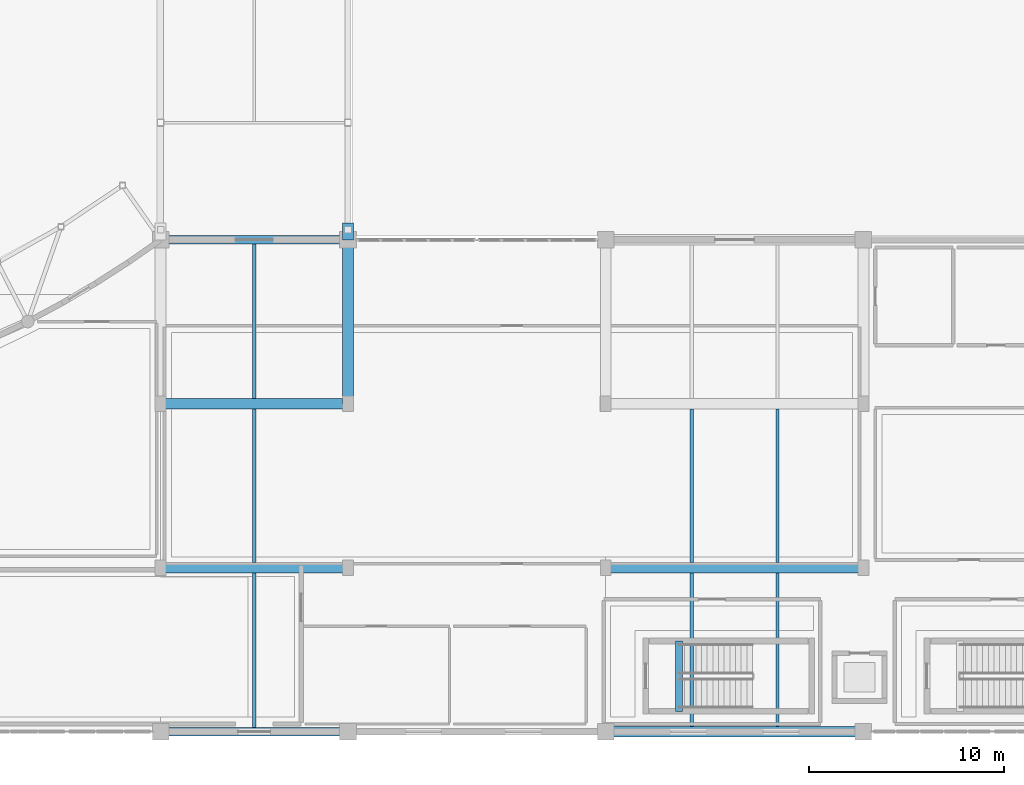
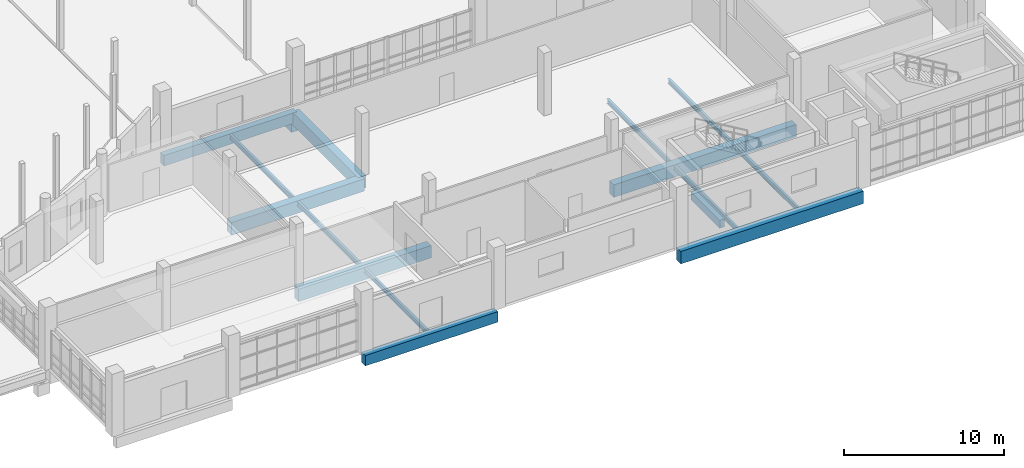
# One storey, part 35 of 97: 16 beams.
"""IFC4 building model written with IfcOpenShell, lengths in metres."""

from ifc_helpers import new_model, si_unit, direction, frame, origin, origin_2d, place, context, subcontext, project, spatial, rectangle, i_section, extrude, material, material_profile, profile_set, type_object, element, save


model = new_model("IFC4")

# Units and contexts
model_context = context("Model", 3, precision=1e-05, world=origin(), true_north=direction((0.0, 1.0)))
body_context = subcontext(model_context, "Body", "Model", "MODEL_VIEW")
ifc_project = project(units=[si_unit("LENGTHUNIT", "METRE"), si_unit("AREAUNIT", "SQUARE_METRE"), si_unit("VOLUMEUNIT", "CUBIC_METRE"), si_unit("PLANEANGLEUNIT", "RADIAN"), si_unit("MASSUNIT", "GRAM", prefix="KILO")], contexts=[model_context])

# Site, building, storey
site_placement = place(None, origin())
site = spatial("IfcSite", under=ifc_project, at=site_placement, CompositionType="ELEMENT")
building_placement = place(site_placement, origin())
building = spatial("IfcBuilding", under=site, at=building_placement, Name="Kisaragi Civic Commons", CompositionType="ELEMENT")
storey_placement = place(building_placement, origin())
storey = spatial("IfcBuildingStorey", under=building, at=storey_placement, Name="L00", CompositionType="ELEMENT", Elevation=0.0)

# Beams
ifc_material_1 = material(Name="Concrete Fc36", Category="concrete")
ifc_material_profile_1 = material_profile(ifc_material_1, rectangle(XDim=0.550048828125, YDim=0.85009765625, at=origin_2d()), Name="RC-550x850", Category="concrete")
ifc_profile_set_1 = profile_set([ifc_material_profile_1], Name="Concrete Fc36")
beam_type_1 = type_object("IfcBeamType", Name="CB-01", PredefinedType="BEAM", material=ifc_profile_set_1)
beam_1_placement = place(storey_placement, frame((133.199951171875, 25.199951171875, -1.530029296875), z_axis=(0.0, 1.0, 0.0), x_axis=(-1.0, 0.0, 0.0)))
element("IfcBeam", 1, at=beam_1_placement, inside=storey, type_object=beam_type_1, Name="BR-V4-V3 L00 seismic corbel 112", PredefinedType="BEAM", context=body_context, shape_type="SweptSolid", body=[
    extrude(rectangle(XDim=0.550048828125, YDim=0.85009765625, at=origin_2d()), origin(), (0.0, 0.0, 1.0), 0.8701171875),
])
ifc_material_profile_2 = material_profile(ifc_material_1, rectangle(XDim=0.550048828125, YDim=0.949951171875, at=origin_2d()), Name="RC-550x950", Category="concrete")
ifc_profile_set_2 = profile_set([ifc_material_profile_2], Name="Concrete Fc36")
beam_type_2 = type_object("IfcBeamType", Name="G-01", PredefinedType="BEAM", material=ifc_profile_set_2)
beam_2_placement = place(storey_placement, frame((146.39990234375, 0.0, -0.800048828125), z_axis=(1.0, 0.0, 0.0), x_axis=(0.0, 1.0, 0.0)))
element("IfcBeam", 2, at=beam_2_placement, inside=storey, type_object=beam_type_2, Name="L00 girder G-01 92", PredefinedType="BEAM", context=body_context, shape_type="SweptSolid", body=[
    extrude(rectangle(XDim=0.550048828125, YDim=0.949951171875, at=origin_2d()), origin(), (0.0, 0.0, 1.0), 13.2001953125),
])
beam_3_placement = place(storey_placement, frame((123.60009765625, 8.39990234375, -0.800048828125), z_axis=(1.0, 0.0, 0.0), x_axis=(0.0, 1.0, 0.0)))
element("IfcBeam", 3, at=beam_3_placement, inside=storey, type_object=beam_type_2, Name="L00 girder G-01 94", PredefinedType="BEAM", context=body_context, shape_type="SweptSolid", body=[
    extrude(rectangle(XDim=0.550048828125, YDim=0.949951171875, at=origin_2d()), origin(), (0.0, 0.0, 1.0), 9.599853515625),
])
beam_4_placement = place(storey_placement, frame((146.39990234375, 8.39990234375, -0.800048828125), z_axis=(1.0, 0.0, 0.0), x_axis=(0.0, 1.0, 0.0)))
element("IfcBeam", 4, at=beam_4_placement, inside=storey, type_object=beam_type_2, Name="L00 girder G-01 95", PredefinedType="BEAM", context=body_context, shape_type="SweptSolid", body=[
    extrude(rectangle(XDim=0.550048828125, YDim=0.949951171875, at=origin_2d()), origin(), (0.0, 0.0, 1.0), 13.2001953125),
])
beam_5_placement = place(storey_placement, frame((123.60009765625, 16.800048828125, -0.800048828125), z_axis=(1.0, 0.0, 0.0), x_axis=(0.0, 1.0, 0.0)))
element("IfcBeam", 5, at=beam_5_placement, inside=storey, type_object=beam_type_2, Name="L00 girder G-01 97", PredefinedType="BEAM", context=body_context, shape_type="SweptSolid", body=[
    extrude(rectangle(XDim=0.550048828125, YDim=0.949951171875, at=origin_2d()), origin(), (0.0, 0.0, 1.0), 9.599853515625),
])
beam_6_placement = place(storey_placement, frame((133.199951171875, 16.800048828125, -0.800048828125), z_axis=(0.0, 1.0, 0.0), x_axis=(-1.0, 0.0, 0.0)))
element("IfcBeam", 6, at=beam_6_placement, inside=storey, type_object=beam_type_2, Name="L00 girder G-01 102", PredefinedType="BEAM", context=body_context, shape_type="SweptSolid", body=[
    extrude(rectangle(XDim=0.550048828125, YDim=0.949951171875, at=origin_2d()), origin(), (0.0, 0.0, 1.0), 8.39990234375),
])
ifc_material_2 = material(Name="Concrete Fc30", Category="concrete")
ifc_material_profile_3 = material_profile(ifc_material_2, rectangle(XDim=0.35009765625, YDim=0.60009765625, at=origin_2d()), Name="RC-350x600", Category="concrete")
ifc_profile_set_3 = profile_set([ifc_material_profile_3], Name="Concrete Fc30")
beam_type_3 = type_object("IfcBeamType", Name="G-14", PredefinedType="BEAM", material=ifc_profile_set_3)
beam_7_placement = place(storey_placement, frame((150.14990234375, 1.050048828125, -0.300048828125), z_axis=(0.0, 1.0, 0.0), x_axis=(-1.0, 0.0, 0.0)))
element("IfcBeam", 7, at=beam_7_placement, inside=storey, type_object=beam_type_3, Name="ST-D1 L00 stair landing trimmer beam", PredefinedType="BEAM", context=body_context, shape_type="SweptSolid", body=[
    extrude(rectangle(XDim=0.35009765625, YDim=0.60009765625, at=origin_2d()), origin(), (0.0, 0.0, 1.0), 3.599853515625),
])
ifc_material_3 = material(Name="Steel SN400 (SN400B)", Category="steel")
ifc_material_profile_4 = material_profile(ifc_material_3, i_section(OverallWidth=0.175048828125, OverallDepth=0.35009765625, WebThickness=0.007080078125, FlangeThickness=0.010986328125, FilletRadius=0.012939453125, at=origin_2d()), Name="H-350x175x7x11", Category="steel")
ifc_profile_set_4 = profile_set([ifc_material_profile_4], Name="Steel SN400 (SN400B)")
beam_type_4 = type_object("IfcBeamType", Name="J-02", PredefinedType="JOIST", material=ifc_profile_set_4)
beam_8_placement = place(storey_placement, frame((128.39990234375, 0.22509765625, -0.5), z_axis=(0.0, 1.0, 0.0), x_axis=(-1.0, 0.0, 0.0)))
element("IfcBeam", 8, at=beam_8_placement, inside=storey, type_object=beam_type_4, Name="L00 secondary steel joist J-02 21", PredefinedType="JOIST", context=body_context, shape_type="SweptSolid", body=[
    extrude(i_section(OverallWidth=0.175048828125, OverallDepth=0.35009765625, WebThickness=0.007080078125, FlangeThickness=0.010986328125, FilletRadius=0.012939453125, at=origin_2d()), origin(), (0.0, 0.0, 1.0), 7.89990234375),
])
beam_9_placement = place(storey_placement, frame((128.39990234375, 8.675048828125, -0.5), z_axis=(0.0, 1.0, 0.0), x_axis=(-1.0, 0.0, 0.0)))
element("IfcBeam", 9, at=beam_9_placement, inside=storey, type_object=beam_type_4, Name="L00 secondary steel joist J-02 22", PredefinedType="JOIST", context=body_context, shape_type="SweptSolid", body=[
    extrude(i_section(OverallWidth=0.175048828125, OverallDepth=0.35009765625, WebThickness=0.007080078125, FlangeThickness=0.010986328125, FilletRadius=0.012939453125, at=origin_2d()), origin(), (0.0, 0.0, 1.0), 7.849853515625),
])
beam_10_placement = place(storey_placement, frame((128.39990234375, 17.074951171875, -0.5), z_axis=(0.0, 1.0, 0.0), x_axis=(-1.0, 0.0, 0.0)))
element("IfcBeam", 10, at=beam_10_placement, inside=storey, type_object=beam_type_4, Name="L00 secondary steel joist J-02 23", PredefinedType="JOIST", context=body_context, shape_type="SweptSolid", body=[
    extrude(i_section(OverallWidth=0.175048828125, OverallDepth=0.35009765625, WebThickness=0.007080078125, FlangeThickness=0.010986328125, FilletRadius=0.012939453125, at=origin_2d()), origin(), (0.0, 0.0, 1.0), 7.900146484375),
])
for number, where, z_axis, x_axis, name in (
    (11, (150.800048828125, 0.27490234375, -0.5), (0.0, 1.0, 0.0), (-1.0, 0.0, 0.0), "L00 secondary steel joist J-02 24"),
    (12, (155.199951171875, 0.27490234375, -0.5), (0.0, 1.0, 0.0), (-1.0, 0.0, 0.0), "L00 secondary steel joist J-02 25"),
):
    element("IfcBeam", number, at=place(storey_placement, frame(where, z_axis=z_axis, x_axis=x_axis)), inside=storey, type_object=beam_type_4, Name=name, PredefinedType="JOIST", context=body_context, shape_type="SweptSolid", body=[
        extrude(i_section(OverallWidth=0.175048828125, OverallDepth=0.35009765625, WebThickness=0.007080078125, FlangeThickness=0.010986328125, FilletRadius=0.012939453125, at=origin_2d()), origin(), (0.0, 0.0, 1.0), 7.85009765625),
    ])
for number, where, z_axis, x_axis, name in (
    (13, (150.800048828125, 8.675048828125, -0.5), (0.0, 1.0, 0.0), (-1.0, 0.0, 0.0), "L00 secondary steel joist J-02 26"),
    (14, (155.199951171875, 8.675048828125, -0.5), (0.0, 1.0, 0.0), (-1.0, 0.0, 0.0), "L00 secondary steel joist J-02 27"),
):
    element("IfcBeam", number, at=place(storey_placement, frame(where, z_axis=z_axis, x_axis=x_axis)), inside=storey, type_object=beam_type_4, Name=name, PredefinedType="JOIST", context=body_context, shape_type="SweptSolid", body=[
        extrude(i_section(OverallWidth=0.175048828125, OverallDepth=0.35009765625, WebThickness=0.007080078125, FlangeThickness=0.010986328125, FilletRadius=0.012939453125, at=origin_2d()), origin(), (0.0, 0.0, 1.0), 7.849853515625),
    ])
ifc_material_profile_5 = material_profile(ifc_material_2, rectangle(XDim=0.449951171875, YDim=0.800048828125, at=origin_2d()), Name="RC-450x800", Category="concrete")
ifc_profile_set_5 = profile_set([ifc_material_profile_5], Name="Concrete Fc30")
beam_type_5 = type_object("IfcBeamType", Name="SPB-01", PredefinedType="SPANDREL", material=ifc_profile_set_5)
for number, where, z_axis, x_axis, name in (
    (15, (123.60009765625, 0.0, -0.72509765625), (1.0, 0.0, 0.0), (0.0, 1.0, 0.0), "L00 girder SPB-01 91"),
    (16, (123.60009765625, 25.199951171875, -0.72509765625), (1.0, 0.0, 0.0), (0.0, 1.0, 0.0), "L00 girder SPB-01 99"),
):
    element("IfcBeam", number, at=place(storey_placement, frame(where, z_axis=z_axis, x_axis=x_axis)), inside=storey, type_object=beam_type_5, Name=name, PredefinedType="SPANDREL", context=body_context, shape_type="SweptSolid", body=[
        extrude(rectangle(XDim=0.449951171875, YDim=0.800048828125, at=origin_2d()), origin(), (0.0, 0.0, 1.0), 9.599853515625),
    ])

save(model, "model.ifc")
